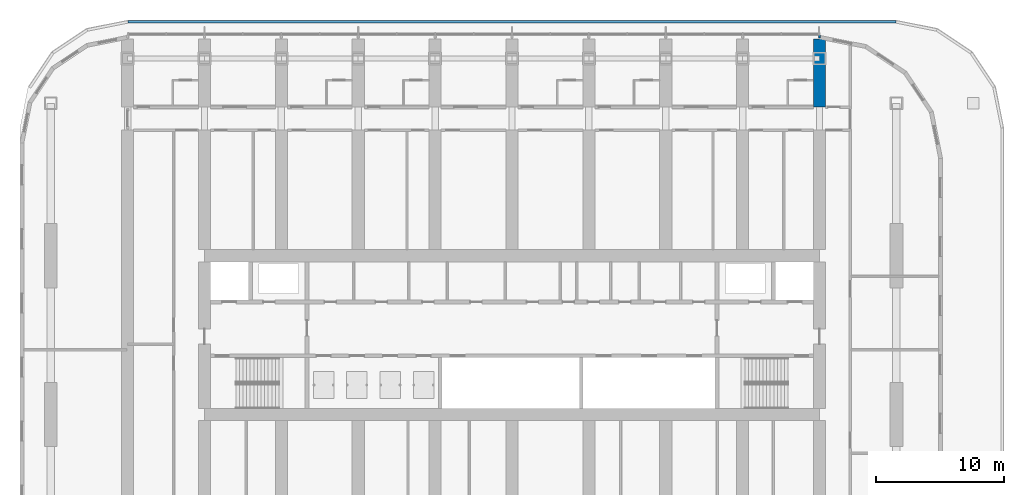
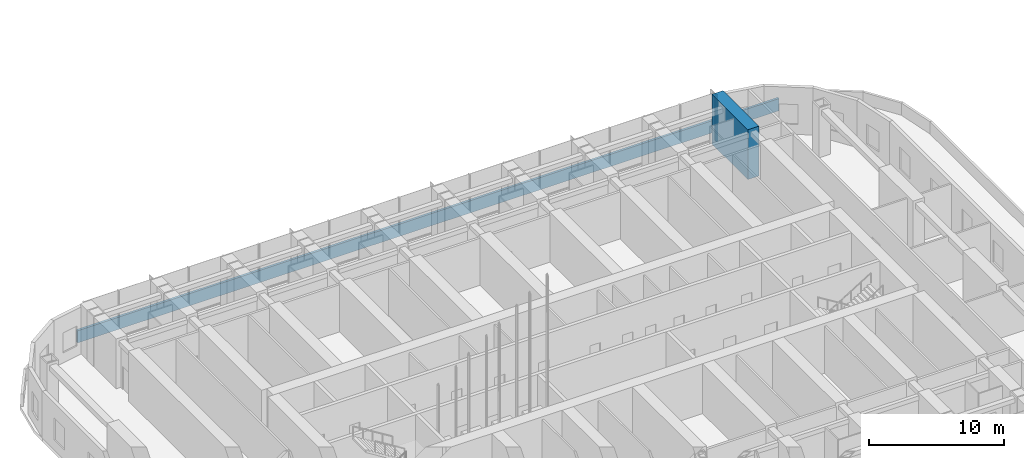
# One storey, part 15 of 31: 3 walls.
"""IFC4 building model written with IfcOpenShell, lengths in metres."""

from ifc_helpers import new_model, si_unit, direction, frame, frame_2d, origin, place, context, subcontext, project, spatial, rectangle, extrude, material, layer, layer_set, type_object, element, save


model = new_model("IFC4")

# Units and contexts
model_context = context("Model", 3, precision=1e-05, world=origin(), true_north=direction((0.0, 1.0)))
body_context = subcontext(model_context, "Body", "Model", "MODEL_VIEW")
ifc_project = project(units=[si_unit("LENGTHUNIT", "METRE"), si_unit("AREAUNIT", "SQUARE_METRE"), si_unit("VOLUMEUNIT", "CUBIC_METRE"), si_unit("PLANEANGLEUNIT", "RADIAN"), si_unit("MASSUNIT", "GRAM", prefix="KILO")], contexts=[model_context])

# Site, building, storey
site_placement = place(None, origin())
site = spatial("IfcSite", under=ifc_project, at=site_placement, CompositionType="ELEMENT")
building_placement = place(site_placement, origin())
building = spatial("IfcBuilding", under=site, at=building_placement, Name="Orbita Commons", CompositionType="ELEMENT")
storey_placement = place(building_placement, frame((0.0, 0.0, 76.14990234375)))
storey = spatial("IfcBuildingStorey", under=building, at=storey_placement, Name="L18", CompositionType="ELEMENT", Elevation=76.14990234375)

# Walls
ifc_material_1 = material(Name="Concrete C50/60", Category="concrete")
ifc_layer_1 = layer(ifc_material_1, 0.949951171875)
ifc_layer_set_1 = layer_set([ifc_layer_1], Name="Concrete C50/60")
wall_type_1 = type_object("IfcWallType", Name="Cross wall 950 C50/60", PredefinedType="SHEAR", material=ifc_layer_set_1)
wall_1_placement = place(storey_placement, frame((66.0, 49.800048828125, 0.0), z_axis=(0.0, 0.0, 1.0), x_axis=(0.0, 1.0, 0.0)))
element("IfcWall", 1, at=wall_1_placement, inside=storey, type_object=wall_type_1, Name="Cross wall 12 north outer L18", PredefinedType="SHEAR", context=body_context, shape_type="SweptSolid", body=[
    extrude(rectangle(XDim=5.300048828125, YDim=0.949951171875, at=frame_2d((2.64990234375, 0.0))), origin(), (0.0, 0.0, 1.0), 4.5),
])
ifc_material_2 = material(Name="Gypsum plasterboard on steel studs", Category="steel")
ifc_layer_2 = layer(ifc_material_2, 0.14990234375)
ifc_layer_set_2 = layer_set([ifc_layer_2], Name="Gypsum plasterboard on steel studs")
wall_type_2 = type_object("IfcWallType", Name="Partition 150 plasterboard", PredefinedType="PARTITIONING", material=ifc_layer_set_2)
wall_2_placement = place(storey_placement, frame((66.0, 55.199951171875, 0.0), z_axis=(0.0, 0.0, 1.0), x_axis=(0.0, 1.0, 0.0)))
element("IfcWall", 2, at=wall_2_placement, inside=storey, type_object=wall_type_2, Name="Partition 150 plasterboard L18", PredefinedType="PARTITIONING", context=body_context, shape_type="SweptSolid", body=[
    extrude(rectangle(XDim=0.219970703125, YDim=0.14990234375, at=frame_2d((0.10986328125, 0.0))), origin(), (0.0, 0.0, 1.0), 4.25),
])
ifc_material_3 = material(Name="Precast concrete C40/50, white board-marked finish", Category="concrete")
ifc_layer_3 = layer(ifc_material_3, 0.199951171875)
ifc_layer_set_3 = layer_set([ifc_layer_3], Name="Precast concrete C40/50, white board-marked finish")
wall_type_3 = type_object("IfcWallType", Name="Precast parapet 200", PredefinedType="PARAPET", material=ifc_layer_set_3)
wall_3_placement = place(storey_placement, frame((12.014892578125, 56.449951171875, 0.0), z_axis=(0.0, 0.0, 1.0), x_axis=(1.0, 0.0, 0.0)))
element("IfcWall", 3, at=wall_3_placement, inside=storey, type_object=wall_type_3, Name="Parapet L18 1.4", PredefinedType="PARAPET", context=body_context, shape_type="SweptSolid", body=[
    extrude(rectangle(XDim=59.97021484375, YDim=0.199951171875, at=frame_2d((29.985107421875, 0.0))), origin(), (0.0, 0.0, 1.0), 1.10009765625),
])

save(model, "model.ifc")
